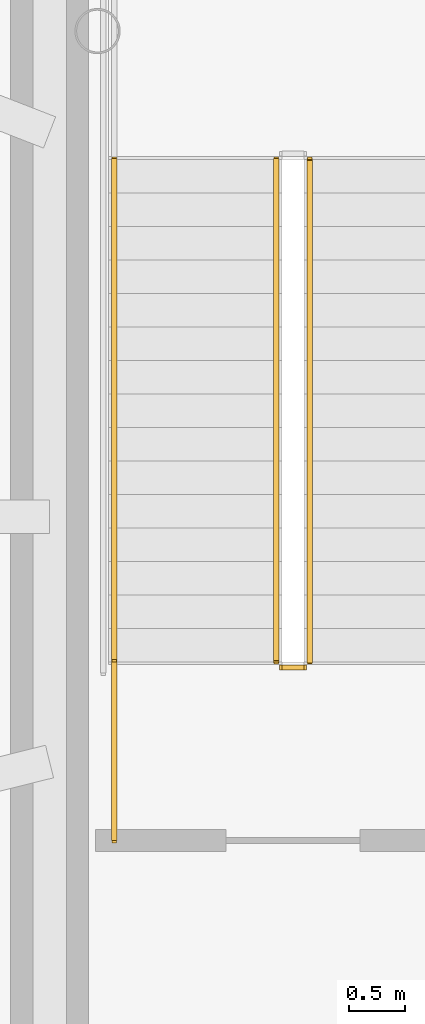
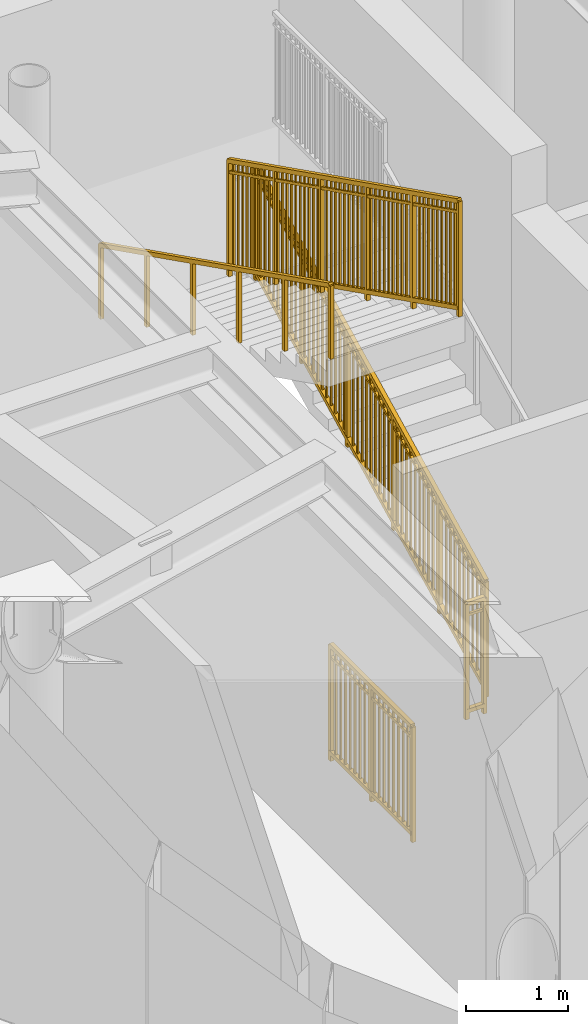
# One storey, part 6 of 12: 5 railings.
"""IFC4 building model written with IfcOpenShell, lengths in metres."""

from ifc_helpers import new_model, si_unit, direction, frame, origin, origin_2d, place, context, subcontext, project, spatial, rectangle, extrude, source, transform, mapped, material, type_object, element, save


model = new_model("IFC4")

# Units and contexts
model_context = context("Model", 3, precision=1e-05, world=origin(), true_north=direction((0.0, 1.0)))
body_context = subcontext(model_context, "Body", "Model", "MODEL_VIEW")
ifc_project = project(units=[si_unit("LENGTHUNIT", "METRE"), si_unit("AREAUNIT", "SQUARE_METRE"), si_unit("VOLUMEUNIT", "CUBIC_METRE"), si_unit("PLANEANGLEUNIT", "RADIAN"), si_unit("MASSUNIT", "GRAM", prefix="KILO")], contexts=[model_context])

# Site, building, storey
site_placement = place(None, origin())
site = spatial("IfcSite", under=ifc_project, at=site_placement, CompositionType="ELEMENT")
building_placement = place(site_placement, origin())
building = spatial("IfcBuilding", under=site, at=building_placement, Name="Linh Dai School and Residence Tower", CompositionType="ELEMENT")
storey_placement = place(building_placement, frame((0.0, 0.0, 368.39990234375)))
storey = spatial("IfcBuildingStorey", under=building, at=storey_placement, Name="L91", CompositionType="ELEMENT", Elevation=368.39990234375)

# Railings
ifc_material_1 = material(Name="Structural Steel S355JR", Category="steel")
railing_type_1 = type_object("IfcRailingType", Name="RL-ST-GUARD-1400", PredefinedType="GUARDRAIL", material=ifc_material_1)
shared_shape_1 = source(origin(), body_context, "Body", "SweptSolid", [
    extrude(rectangle(XDim=0.048095703125, YDim=0.048095703125, at=origin_2d()), frame((0.0, 0.0, 1.3759765625), z_axis=(-1.0, 0.0, 0.0), x_axis=(0.0, -1.0, 0.0)), (0.0, 0.0, 1.0), 0.199951171875),
    extrude(rectangle(XDim=0.048095703125, YDim=0.048095703125, at=origin_2d()), frame((0.0, 0.0, 0.10009765625), z_axis=(-1.0, 0.0, 0.0), x_axis=(0.0, -1.0, 0.0)), (0.0, 0.0, 1.0), 0.199951171875),
    extrude(rectangle(XDim=0.030029296875, YDim=0.030029296875, at=origin_2d()), frame((0.0, 0.0, 1.239990234375), z_axis=(-1.0, 0.0, 0.0), x_axis=(0.0, -1.0, 0.0)), (0.0, 0.0, 1.0), 0.199951171875),
    extrude(rectangle(XDim=0.0419921875, YDim=0.0419921875, at=origin_2d()), origin(), (0.0, 0.0, 1.0), 1.3759765625),
    extrude(rectangle(XDim=0.0419921875, YDim=0.0419921875, at=origin_2d()), frame((-0.199951171875, 0.0, 0.0)), (0.0, 0.0, 1.0), 1.3759765625),
])
railing_1_placement = place(storey_placement, frame((29.429931640625, 25.64990234375, 0.0)))
element("IfcRailing", 1, at=railing_1_placement, inside=storey, type_object=railing_type_1, Name="L91 ST1 stair guard 7", PredefinedType="GUARDRAIL", context=body_context, shape_type="MappedRepresentation", body=[
    mapped(shared_shape_1, transform((0.0, 0.0, 0.0), x_axis=(1.0, 0.0, 0.0), y_axis=(0.0, 1.0, 0.0), z_axis=(0.0, 0.0, 1.0), scale=1.0)),
])
shared_shape_2 = source(origin(), body_context, "Body", "SweptSolid", [
    extrude(rectangle(XDim=0.048095703125, YDim=0.048095703125, at=origin_2d()), frame((0.0, 0.0, 1.3759765625), z_axis=(0.0, 1.0, 0.0), x_axis=(-1.0, 0.0, 0.0)), (0.0, 0.0, 1.0), 1.599853515625),
    extrude(rectangle(XDim=0.048095703125, YDim=0.048095703125, at=origin_2d()), frame((0.0, 0.0, 0.10009765625), z_axis=(0.0, 1.0, 0.0), x_axis=(-1.0, 0.0, 0.0)), (0.0, 0.0, 1.0), 1.599853515625),
    extrude(rectangle(XDim=0.030029296875, YDim=0.030029296875, at=origin_2d()), frame((0.0, 0.0, 1.239990234375), z_axis=(0.0, 1.0, 0.0), x_axis=(-1.0, 0.0, 0.0)), (0.0, 0.0, 1.0), 1.599853515625),
    extrude(rectangle(XDim=0.02001953125, YDim=0.02001953125, at=origin_2d()), frame((0.0, 0.093994140625, 0.10009765625)), (0.0, 0.0, 1.0), 1.251708984375),
    extrude(rectangle(XDim=0.02001953125, YDim=0.02001953125, at=origin_2d()), frame((0.0, 0.188232421875, 0.10009765625)), (0.0, 0.0, 1.0), 1.251708984375),
    extrude(rectangle(XDim=0.02001953125, YDim=0.02001953125, at=origin_2d()), frame((0.0, 0.2822265625, 0.10009765625)), (0.0, 0.0, 1.0), 1.251708984375),
    extrude(rectangle(XDim=0.02001953125, YDim=0.02001953125, at=origin_2d()), frame((0.0, 0.37646484375, 0.10009765625)), (0.0, 0.0, 1.0), 1.251708984375),
    extrude(rectangle(XDim=0.02001953125, YDim=0.02001953125, at=origin_2d()), frame((0.0, 0.470458984375, 0.10009765625)), (0.0, 0.0, 1.0), 1.251708984375),
    extrude(rectangle(XDim=0.02001953125, YDim=0.02001953125, at=origin_2d()), frame((0.0, 0.564697265625, 0.10009765625)), (0.0, 0.0, 1.0), 1.251708984375),
    extrude(rectangle(XDim=0.02001953125, YDim=0.02001953125, at=origin_2d()), frame((0.0, 0.65869140625, 0.10009765625)), (0.0, 0.0, 1.0), 1.251708984375),
    extrude(rectangle(XDim=0.02001953125, YDim=0.02001953125, at=origin_2d()), frame((0.0, 0.7529296875, 0.10009765625)), (0.0, 0.0, 1.0), 1.251708984375),
    extrude(rectangle(XDim=0.02001953125, YDim=0.02001953125, at=origin_2d()), frame((0.0, 0.846923828125, 0.10009765625)), (0.0, 0.0, 1.0), 1.251708984375),
    extrude(rectangle(XDim=0.02001953125, YDim=0.02001953125, at=origin_2d()), frame((0.0, 0.941162109375, 0.10009765625)), (0.0, 0.0, 1.0), 1.251708984375),
    extrude(rectangle(XDim=0.02001953125, YDim=0.02001953125, at=origin_2d()), frame((0.0, 1.03515625, 0.10009765625)), (0.0, 0.0, 1.0), 1.251708984375),
    extrude(rectangle(XDim=0.02001953125, YDim=0.02001953125, at=origin_2d()), frame((0.0, 1.12939453125, 0.10009765625)), (0.0, 0.0, 1.0), 1.251708984375),
    extrude(rectangle(XDim=0.02001953125, YDim=0.02001953125, at=origin_2d()), frame((0.0, 1.223388671875, 0.10009765625)), (0.0, 0.0, 1.0), 1.251708984375),
    extrude(rectangle(XDim=0.02001953125, YDim=0.02001953125, at=origin_2d()), frame((0.0, 1.317626953125, 0.10009765625)), (0.0, 0.0, 1.0), 1.251708984375),
    extrude(rectangle(XDim=0.02001953125, YDim=0.02001953125, at=origin_2d()), frame((0.0, 1.41162109375, 0.10009765625)), (0.0, 0.0, 1.0), 1.251708984375),
    extrude(rectangle(XDim=0.02001953125, YDim=0.02001953125, at=origin_2d()), frame((0.0, 1.505859375, 0.10009765625)), (0.0, 0.0, 1.0), 1.251708984375),
    extrude(rectangle(XDim=0.0419921875, YDim=0.0419921875, at=origin_2d()), origin(), (0.0, 0.0, 1.0), 1.3759765625),
    extrude(rectangle(XDim=0.0419921875, YDim=0.0419921875, at=origin_2d()), frame((0.0, 0.7998046875, 0.0)), (0.0, 0.0, 1.0), 1.3759765625),
    extrude(rectangle(XDim=0.0419921875, YDim=0.0419921875, at=origin_2d()), frame((0.0, 1.599853515625, 0.0)), (0.0, 0.0, 1.0), 1.3759765625),
])
railing_2_placement = place(storey_placement, frame((27.72998046875, 24.10009765625, 0.0)))
element("IfcRailing", 2, at=railing_2_placement, inside=storey, type_object=railing_type_1, Name="L91 ST1 stair guard 9", PredefinedType="GUARDRAIL", context=body_context, shape_type="MappedRepresentation", body=[
    mapped(shared_shape_2, transform((0.0, 0.0, 0.0), x_axis=(1.0, 0.0, 0.0), y_axis=(0.0, 1.0, 0.0), z_axis=(0.0, 0.0, 1.0), scale=1.0)),
])
shared_shape_3 = source(origin(), body_context, "Body", "SweptSolid", [
    extrude(rectangle(XDim=0.048095703125, YDim=0.048095703125, at=origin_2d()), frame((0.0, 0.0, 1.3759765625), z_axis=(0.0, 0.894427191, 0.4472135955), x_axis=(-1.0, 0.0, 0.0)), (0.0, 0.0, 1.0), 5.03125),
    extrude(rectangle(XDim=0.048095703125, YDim=0.048095703125, at=origin_2d()), frame((0.0, 0.0, 0.10009765625), z_axis=(0.0, 0.894427191, 0.4472135955), x_axis=(-1.0, 0.0, 0.0)), (0.0, 0.0, 1.0), 5.03125),
    extrude(rectangle(XDim=0.030029296875, YDim=0.030029296875, at=origin_2d()), frame((0.0, 0.0, 1.239990234375), z_axis=(0.0, 0.894427191, 0.4472135955), x_axis=(-1.0, 0.0, 0.0)), (0.0, 0.0, 1.0), 5.03125),
    extrude(rectangle(XDim=0.02001953125, YDim=0.02001953125, at=origin_2d()), frame((0.0, 0.08642578125, 0.143310546875)), (0.0, 0.0, 1.0), 1.251708984375),
    extrude(rectangle(XDim=0.02001953125, YDim=0.02001953125, at=origin_2d()), frame((0.0, 0.173095703125, 0.1865234375)), (0.0, 0.0, 1.0), 1.251708984375),
    extrude(rectangle(XDim=0.02001953125, YDim=0.02001953125, at=origin_2d()), frame((0.0, 0.259521484375, 0.22998046875)), (0.0, 0.0, 1.0), 1.251708984375),
    extrude(rectangle(XDim=0.02001953125, YDim=0.02001953125, at=origin_2d()), frame((0.0, 0.34619140625, 0.273193359375)), (0.0, 0.0, 1.0), 1.251708984375),
    extrude(rectangle(XDim=0.02001953125, YDim=0.02001953125, at=origin_2d()), frame((0.0, 0.4326171875, 0.31640625)), (0.0, 0.0, 1.0), 1.251708984375),
    extrude(rectangle(XDim=0.02001953125, YDim=0.02001953125, at=origin_2d()), frame((0.0, 0.519287109375, 0.359619140625)), (0.0, 0.0, 1.0), 1.251708984375),
    extrude(rectangle(XDim=0.02001953125, YDim=0.02001953125, at=origin_2d()), frame((0.0, 0.605712890625, 0.403076171875)), (0.0, 0.0, 1.0), 1.251708984375),
    extrude(rectangle(XDim=0.02001953125, YDim=0.02001953125, at=origin_2d()), frame((0.0, 0.6923828125, 0.4462890625)), (0.0, 0.0, 1.0), 1.251708984375),
    extrude(rectangle(XDim=0.02001953125, YDim=0.02001953125, at=origin_2d()), frame((0.0, 0.77880859375, 0.489501953125)), (0.0, 0.0, 1.0), 1.251708984375),
    extrude(rectangle(XDim=0.02001953125, YDim=0.02001953125, at=origin_2d()), frame((0.0, 0.951904296875, 0.576171875)), (0.0, 0.0, 1.0), 1.251708984375),
    extrude(rectangle(XDim=0.02001953125, YDim=0.02001953125, at=origin_2d()), frame((0.0, 1.03857421875, 0.619384765625)), (0.0, 0.0, 1.0), 1.251708984375),
    extrude(rectangle(XDim=0.02001953125, YDim=0.02001953125, at=origin_2d()), frame((0.0, 1.125, 0.66259765625)), (0.0, 0.0, 1.0), 1.251708984375),
    extrude(rectangle(XDim=0.02001953125, YDim=0.02001953125, at=origin_2d()), frame((0.0, 1.21142578125, 0.705810546875)), (0.0, 0.0, 1.0), 1.251708984375),
    extrude(rectangle(XDim=0.02001953125, YDim=0.02001953125, at=origin_2d()), frame((0.0, 1.298095703125, 0.7490234375)), (0.0, 0.0, 1.0), 1.251708984375),
    extrude(rectangle(XDim=0.02001953125, YDim=0.02001953125, at=origin_2d()), frame((0.0, 1.384521484375, 0.79248046875)), (0.0, 0.0, 1.0), 1.251708984375),
    extrude(rectangle(XDim=0.02001953125, YDim=0.02001953125, at=origin_2d()), frame((0.0, 1.47119140625, 0.835693359375)), (0.0, 0.0, 1.0), 1.251708984375),
    extrude(rectangle(XDim=0.02001953125, YDim=0.02001953125, at=origin_2d()), frame((0.0, 1.5576171875, 0.87890625)), (0.0, 0.0, 1.0), 1.251708984375),
    extrude(rectangle(XDim=0.02001953125, YDim=0.02001953125, at=origin_2d()), frame((0.0, 1.644287109375, 0.922119140625)), (0.0, 0.0, 1.0), 1.251708984375),
    extrude(rectangle(XDim=0.02001953125, YDim=0.02001953125, at=origin_2d()), frame((0.0, 1.730712890625, 0.965576171875)), (0.0, 0.0, 1.0), 1.251708984375),
    extrude(rectangle(XDim=0.02001953125, YDim=0.02001953125, at=origin_2d()), frame((0.0, 1.90380859375, 1.052001953125)), (0.0, 0.0, 1.0), 1.251708984375),
    extrude(rectangle(XDim=0.02001953125, YDim=0.02001953125, at=origin_2d()), frame((0.0, 1.990478515625, 1.09521484375)), (0.0, 0.0, 1.0), 1.251708984375),
    extrude(rectangle(XDim=0.02001953125, YDim=0.02001953125, at=origin_2d()), frame((0.0, 2.076904296875, 1.138671875)), (0.0, 0.0, 1.0), 1.251708984375),
    extrude(rectangle(XDim=0.02001953125, YDim=0.02001953125, at=origin_2d()), frame((0.0, 2.16357421875, 1.181884765625)), (0.0, 0.0, 1.0), 1.251708984375),
    extrude(rectangle(XDim=0.02001953125, YDim=0.02001953125, at=origin_2d()), frame((0.0, 2.25, 1.22509765625)), (0.0, 0.0, 1.0), 1.251708984375),
    extrude(rectangle(XDim=0.02001953125, YDim=0.02001953125, at=origin_2d()), frame((0.0, 2.33642578125, 1.268310546875)), (0.0, 0.0, 1.0), 1.251708984375),
    extrude(rectangle(XDim=0.02001953125, YDim=0.02001953125, at=origin_2d()), frame((0.0, 2.423095703125, 1.3115234375)), (0.0, 0.0, 1.0), 1.251708984375),
    extrude(rectangle(XDim=0.02001953125, YDim=0.02001953125, at=origin_2d()), frame((0.0, 2.509521484375, 1.35498046875)), (0.0, 0.0, 1.0), 1.251708984375),
    extrude(rectangle(XDim=0.02001953125, YDim=0.02001953125, at=origin_2d()), frame((0.0, 2.59619140625, 1.398193359375)), (0.0, 0.0, 1.0), 1.251708984375),
    extrude(rectangle(XDim=0.02001953125, YDim=0.02001953125, at=origin_2d()), frame((0.0, 2.769287109375, 1.484619140625)), (0.0, 0.0, 1.0), 1.251708984375),
    extrude(rectangle(XDim=0.02001953125, YDim=0.02001953125, at=origin_2d()), frame((0.0, 2.855712890625, 1.528076171875)), (0.0, 0.0, 1.0), 1.251708984375),
    extrude(rectangle(XDim=0.02001953125, YDim=0.02001953125, at=origin_2d()), frame((0.0, 2.9423828125, 1.5712890625)), (0.0, 0.0, 1.0), 1.251708984375),
    extrude(rectangle(XDim=0.02001953125, YDim=0.02001953125, at=origin_2d()), frame((0.0, 3.02880859375, 1.614501953125)), (0.0, 0.0, 1.0), 1.251708984375),
    extrude(rectangle(XDim=0.02001953125, YDim=0.02001953125, at=origin_2d()), frame((0.0, 3.115478515625, 1.65771484375)), (0.0, 0.0, 1.0), 1.251708984375),
    extrude(rectangle(XDim=0.02001953125, YDim=0.02001953125, at=origin_2d()), frame((0.0, 3.201904296875, 1.701171875)), (0.0, 0.0, 1.0), 1.251708984375),
    extrude(rectangle(XDim=0.02001953125, YDim=0.02001953125, at=origin_2d()), frame((0.0, 3.28857421875, 1.744384765625)), (0.0, 0.0, 1.0), 1.251708984375),
    extrude(rectangle(XDim=0.02001953125, YDim=0.02001953125, at=origin_2d()), frame((0.0, 3.375, 1.78759765625)), (0.0, 0.0, 1.0), 1.251708984375),
    extrude(rectangle(XDim=0.02001953125, YDim=0.02001953125, at=origin_2d()), frame((0.0, 3.46142578125, 1.830810546875)), (0.0, 0.0, 1.0), 1.251708984375),
    extrude(rectangle(XDim=0.02001953125, YDim=0.02001953125, at=origin_2d()), frame((0.0, 3.548095703125, 1.8740234375)), (0.0, 0.0, 1.0), 1.251708984375),
    extrude(rectangle(XDim=0.02001953125, YDim=0.02001953125, at=origin_2d()), frame((0.0, 3.72119140625, 1.960693359375)), (0.0, 0.0, 1.0), 1.251708984375),
    extrude(rectangle(XDim=0.02001953125, YDim=0.02001953125, at=origin_2d()), frame((0.0, 3.8076171875, 2.00390625)), (0.0, 0.0, 1.0), 1.251708984375),
    extrude(rectangle(XDim=0.02001953125, YDim=0.02001953125, at=origin_2d()), frame((0.0, 3.894287109375, 2.047119140625)), (0.0, 0.0, 1.0), 1.251708984375),
    extrude(rectangle(XDim=0.02001953125, YDim=0.02001953125, at=origin_2d()), frame((0.0, 3.980712890625, 2.090576171875)), (0.0, 0.0, 1.0), 1.251708984375),
    extrude(rectangle(XDim=0.02001953125, YDim=0.02001953125, at=origin_2d()), frame((0.0, 4.0673828125, 2.1337890625)), (0.0, 0.0, 1.0), 1.251708984375),
    extrude(rectangle(XDim=0.02001953125, YDim=0.02001953125, at=origin_2d()), frame((0.0, 4.15380859375, 2.177001953125)), (0.0, 0.0, 1.0), 1.251708984375),
    extrude(rectangle(XDim=0.02001953125, YDim=0.02001953125, at=origin_2d()), frame((0.0, 4.240478515625, 2.22021484375)), (0.0, 0.0, 1.0), 1.251708984375),
    extrude(rectangle(XDim=0.02001953125, YDim=0.02001953125, at=origin_2d()), frame((0.0, 4.326904296875, 2.263671875)), (0.0, 0.0, 1.0), 1.251708984375),
    extrude(rectangle(XDim=0.02001953125, YDim=0.02001953125, at=origin_2d()), frame((0.0, 4.41357421875, 2.306884765625)), (0.0, 0.0, 1.0), 1.251708984375),
    extrude(rectangle(XDim=0.0419921875, YDim=0.0419921875, at=origin_2d()), origin(), (0.0, 0.0, 1.0), 1.3759765625),
    extrude(rectangle(XDim=0.0419921875, YDim=0.0419921875, at=origin_2d()), frame((0.0, 0.89990234375, 0.449951171875)), (0.0, 0.0, 1.0), 1.3759765625),
    extrude(rectangle(XDim=0.0419921875, YDim=0.0419921875, at=origin_2d()), frame((0.0, 1.800048828125, 0.89990234375)), (0.0, 0.0, 1.0), 1.3759765625),
    extrude(rectangle(XDim=0.0419921875, YDim=0.0419921875, at=origin_2d()), frame((0.0, 2.699951171875, 1.35009765625)), (0.0, 0.0, 1.0), 1.3759765625),
    extrude(rectangle(XDim=0.0419921875, YDim=0.0419921875, at=origin_2d()), frame((0.0, 3.60009765625, 1.800048828125)), (0.0, 0.0, 1.0), 1.3759765625),
    extrude(rectangle(XDim=0.0419921875, YDim=0.0419921875, at=origin_2d()), frame((0.0, 4.5, 2.25)), (0.0, 0.0, 1.0), 1.3759765625),
])
railing_3_placement = place(storey_placement, frame((29.47998046875, 25.699951171875, 0.150146484375)))
element("IfcRailing", 3, at=railing_3_placement, inside=storey, type_object=railing_type_1, Name="L91 ST1 stair guard 1", PredefinedType="GUARDRAIL", context=body_context, shape_type="MappedRepresentation", body=[
    mapped(shared_shape_3, transform((0.0, 0.0, 0.0), x_axis=(1.0, 0.0, 0.0), y_axis=(0.0, 1.0, 0.0), z_axis=(0.0, 0.0, 1.0), scale=1.0)),
])
shared_shape_4 = source(origin(), body_context, "Body", "SweptSolid", [
    extrude(rectangle(XDim=0.048095703125, YDim=0.048095703125, at=origin_2d()), frame((0.0, 0.0, 1.3759765625), z_axis=(0.0, -0.894427191, 0.4472135955), x_axis=(1.0, 0.0, 0.0)), (0.0, 0.0, 1.0), 5.03125),
    extrude(rectangle(XDim=0.048095703125, YDim=0.048095703125, at=origin_2d()), frame((0.0, 0.0, 0.10009765625), z_axis=(0.0, -0.894427191, 0.4472135955), x_axis=(1.0, 0.0, 0.0)), (0.0, 0.0, 1.0), 5.03125),
    extrude(rectangle(XDim=0.030029296875, YDim=0.030029296875, at=origin_2d()), frame((0.0, 0.0, 1.239990234375), z_axis=(0.0, -0.894427191, 0.4472135955), x_axis=(1.0, 0.0, 0.0)), (0.0, 0.0, 1.0), 5.03125),
    extrude(rectangle(XDim=0.02001953125, YDim=0.02001953125, at=origin_2d()), frame((0.0, -0.08642578125, 0.143310546875)), (0.0, 0.0, 1.0), 1.251708984375),
    extrude(rectangle(XDim=0.02001953125, YDim=0.02001953125, at=origin_2d()), frame((0.0, -0.173095703125, 0.1865234375)), (0.0, 0.0, 1.0), 1.251708984375),
    extrude(rectangle(XDim=0.02001953125, YDim=0.02001953125, at=origin_2d()), frame((0.0, -0.259521484375, 0.22998046875)), (0.0, 0.0, 1.0), 1.251708984375),
    extrude(rectangle(XDim=0.02001953125, YDim=0.02001953125, at=origin_2d()), frame((0.0, -0.34619140625, 0.273193359375)), (0.0, 0.0, 1.0), 1.251708984375),
    extrude(rectangle(XDim=0.02001953125, YDim=0.02001953125, at=origin_2d()), frame((0.0, -0.4326171875, 0.31640625)), (0.0, 0.0, 1.0), 1.251708984375),
    extrude(rectangle(XDim=0.02001953125, YDim=0.02001953125, at=origin_2d()), frame((0.0, -0.519287109375, 0.359619140625)), (0.0, 0.0, 1.0), 1.251708984375),
    extrude(rectangle(XDim=0.02001953125, YDim=0.02001953125, at=origin_2d()), frame((0.0, -0.605712890625, 0.403076171875)), (0.0, 0.0, 1.0), 1.251708984375),
    extrude(rectangle(XDim=0.02001953125, YDim=0.02001953125, at=origin_2d()), frame((0.0, -0.6923828125, 0.4462890625)), (0.0, 0.0, 1.0), 1.251708984375),
    extrude(rectangle(XDim=0.02001953125, YDim=0.02001953125, at=origin_2d()), frame((0.0, -0.77880859375, 0.489501953125)), (0.0, 0.0, 1.0), 1.251708984375),
    extrude(rectangle(XDim=0.02001953125, YDim=0.02001953125, at=origin_2d()), frame((0.0, -0.951904296875, 0.576171875)), (0.0, 0.0, 1.0), 1.251708984375),
    extrude(rectangle(XDim=0.02001953125, YDim=0.02001953125, at=origin_2d()), frame((0.0, -1.03857421875, 0.619384765625)), (0.0, 0.0, 1.0), 1.251708984375),
    extrude(rectangle(XDim=0.02001953125, YDim=0.02001953125, at=origin_2d()), frame((0.0, -1.125, 0.66259765625)), (0.0, 0.0, 1.0), 1.251708984375),
    extrude(rectangle(XDim=0.02001953125, YDim=0.02001953125, at=origin_2d()), frame((0.0, -1.21142578125, 0.705810546875)), (0.0, 0.0, 1.0), 1.251708984375),
    extrude(rectangle(XDim=0.02001953125, YDim=0.02001953125, at=origin_2d()), frame((0.0, -1.298095703125, 0.7490234375)), (0.0, 0.0, 1.0), 1.251708984375),
    extrude(rectangle(XDim=0.02001953125, YDim=0.02001953125, at=origin_2d()), frame((0.0, -1.384521484375, 0.79248046875)), (0.0, 0.0, 1.0), 1.251708984375),
    extrude(rectangle(XDim=0.02001953125, YDim=0.02001953125, at=origin_2d()), frame((0.0, -1.47119140625, 0.835693359375)), (0.0, 0.0, 1.0), 1.251708984375),
    extrude(rectangle(XDim=0.02001953125, YDim=0.02001953125, at=origin_2d()), frame((0.0, -1.5576171875, 0.87890625)), (0.0, 0.0, 1.0), 1.251708984375),
    extrude(rectangle(XDim=0.02001953125, YDim=0.02001953125, at=origin_2d()), frame((0.0, -1.644287109375, 0.922119140625)), (0.0, 0.0, 1.0), 1.251708984375),
    extrude(rectangle(XDim=0.02001953125, YDim=0.02001953125, at=origin_2d()), frame((0.0, -1.730712890625, 0.965576171875)), (0.0, 0.0, 1.0), 1.251708984375),
    extrude(rectangle(XDim=0.02001953125, YDim=0.02001953125, at=origin_2d()), frame((0.0, -1.90380859375, 1.052001953125)), (0.0, 0.0, 1.0), 1.251708984375),
    extrude(rectangle(XDim=0.02001953125, YDim=0.02001953125, at=origin_2d()), frame((0.0, -1.990478515625, 1.09521484375)), (0.0, 0.0, 1.0), 1.251708984375),
    extrude(rectangle(XDim=0.02001953125, YDim=0.02001953125, at=origin_2d()), frame((0.0, -2.076904296875, 1.138671875)), (0.0, 0.0, 1.0), 1.251708984375),
    extrude(rectangle(XDim=0.02001953125, YDim=0.02001953125, at=origin_2d()), frame((0.0, -2.16357421875, 1.181884765625)), (0.0, 0.0, 1.0), 1.251708984375),
    extrude(rectangle(XDim=0.02001953125, YDim=0.02001953125, at=origin_2d()), frame((0.0, -2.25, 1.22509765625)), (0.0, 0.0, 1.0), 1.251708984375),
    extrude(rectangle(XDim=0.02001953125, YDim=0.02001953125, at=origin_2d()), frame((0.0, -2.33642578125, 1.268310546875)), (0.0, 0.0, 1.0), 1.251708984375),
    extrude(rectangle(XDim=0.02001953125, YDim=0.02001953125, at=origin_2d()), frame((0.0, -2.423095703125, 1.3115234375)), (0.0, 0.0, 1.0), 1.251708984375),
    extrude(rectangle(XDim=0.02001953125, YDim=0.02001953125, at=origin_2d()), frame((0.0, -2.509521484375, 1.35498046875)), (0.0, 0.0, 1.0), 1.251708984375),
    extrude(rectangle(XDim=0.02001953125, YDim=0.02001953125, at=origin_2d()), frame((0.0, -2.59619140625, 1.398193359375)), (0.0, 0.0, 1.0), 1.251708984375),
    extrude(rectangle(XDim=0.02001953125, YDim=0.02001953125, at=origin_2d()), frame((0.0, -2.769287109375, 1.484619140625)), (0.0, 0.0, 1.0), 1.251708984375),
    extrude(rectangle(XDim=0.02001953125, YDim=0.02001953125, at=origin_2d()), frame((0.0, -2.855712890625, 1.528076171875)), (0.0, 0.0, 1.0), 1.251708984375),
    extrude(rectangle(XDim=0.02001953125, YDim=0.02001953125, at=origin_2d()), frame((0.0, -2.9423828125, 1.5712890625)), (0.0, 0.0, 1.0), 1.251708984375),
    extrude(rectangle(XDim=0.02001953125, YDim=0.02001953125, at=origin_2d()), frame((0.0, -3.02880859375, 1.614501953125)), (0.0, 0.0, 1.0), 1.251708984375),
    extrude(rectangle(XDim=0.02001953125, YDim=0.02001953125, at=origin_2d()), frame((0.0, -3.115478515625, 1.65771484375)), (0.0, 0.0, 1.0), 1.251708984375),
    extrude(rectangle(XDim=0.02001953125, YDim=0.02001953125, at=origin_2d()), frame((0.0, -3.201904296875, 1.701171875)), (0.0, 0.0, 1.0), 1.251708984375),
    extrude(rectangle(XDim=0.02001953125, YDim=0.02001953125, at=origin_2d()), frame((0.0, -3.28857421875, 1.744384765625)), (0.0, 0.0, 1.0), 1.251708984375),
    extrude(rectangle(XDim=0.02001953125, YDim=0.02001953125, at=origin_2d()), frame((0.0, -3.375, 1.78759765625)), (0.0, 0.0, 1.0), 1.251708984375),
    extrude(rectangle(XDim=0.02001953125, YDim=0.02001953125, at=origin_2d()), frame((0.0, -3.46142578125, 1.830810546875)), (0.0, 0.0, 1.0), 1.251708984375),
    extrude(rectangle(XDim=0.02001953125, YDim=0.02001953125, at=origin_2d()), frame((0.0, -3.548095703125, 1.8740234375)), (0.0, 0.0, 1.0), 1.251708984375),
    extrude(rectangle(XDim=0.02001953125, YDim=0.02001953125, at=origin_2d()), frame((0.0, -3.72119140625, 1.960693359375)), (0.0, 0.0, 1.0), 1.251708984375),
    extrude(rectangle(XDim=0.02001953125, YDim=0.02001953125, at=origin_2d()), frame((0.0, -3.8076171875, 2.00390625)), (0.0, 0.0, 1.0), 1.251708984375),
    extrude(rectangle(XDim=0.02001953125, YDim=0.02001953125, at=origin_2d()), frame((0.0, -3.894287109375, 2.047119140625)), (0.0, 0.0, 1.0), 1.251708984375),
    extrude(rectangle(XDim=0.02001953125, YDim=0.02001953125, at=origin_2d()), frame((0.0, -3.980712890625, 2.090576171875)), (0.0, 0.0, 1.0), 1.251708984375),
    extrude(rectangle(XDim=0.02001953125, YDim=0.02001953125, at=origin_2d()), frame((0.0, -4.0673828125, 2.1337890625)), (0.0, 0.0, 1.0), 1.251708984375),
    extrude(rectangle(XDim=0.02001953125, YDim=0.02001953125, at=origin_2d()), frame((0.0, -4.15380859375, 2.177001953125)), (0.0, 0.0, 1.0), 1.251708984375),
    extrude(rectangle(XDim=0.02001953125, YDim=0.02001953125, at=origin_2d()), frame((0.0, -4.240478515625, 2.22021484375)), (0.0, 0.0, 1.0), 1.251708984375),
    extrude(rectangle(XDim=0.02001953125, YDim=0.02001953125, at=origin_2d()), frame((0.0, -4.326904296875, 2.263671875)), (0.0, 0.0, 1.0), 1.251708984375),
    extrude(rectangle(XDim=0.02001953125, YDim=0.02001953125, at=origin_2d()), frame((0.0, -4.41357421875, 2.306884765625)), (0.0, 0.0, 1.0), 1.251708984375),
    extrude(rectangle(XDim=0.0419921875, YDim=0.0419921875, at=origin_2d()), origin(), (0.0, 0.0, 1.0), 1.3759765625),
    extrude(rectangle(XDim=0.0419921875, YDim=0.0419921875, at=origin_2d()), frame((0.0, -0.89990234375, 0.449951171875)), (0.0, 0.0, 1.0), 1.3759765625),
    extrude(rectangle(XDim=0.0419921875, YDim=0.0419921875, at=origin_2d()), frame((0.0, -1.800048828125, 0.89990234375)), (0.0, 0.0, 1.0), 1.3759765625),
    extrude(rectangle(XDim=0.0419921875, YDim=0.0419921875, at=origin_2d()), frame((0.0, -2.699951171875, 1.35009765625)), (0.0, 0.0, 1.0), 1.3759765625),
    extrude(rectangle(XDim=0.0419921875, YDim=0.0419921875, at=origin_2d()), frame((0.0, -3.60009765625, 1.800048828125)), (0.0, 0.0, 1.0), 1.3759765625),
    extrude(rectangle(XDim=0.0419921875, YDim=0.0419921875, at=origin_2d()), frame((0.0, -4.5, 2.25)), (0.0, 0.0, 1.0), 1.3759765625),
])
railing_4_placement = place(storey_placement, frame((29.179931640625, 30.199951171875, 2.550048828125)))
element("IfcRailing", 4, at=railing_4_placement, inside=storey, type_object=railing_type_1, Name="L91 ST1 stair guard 6", PredefinedType="GUARDRAIL", context=body_context, shape_type="MappedRepresentation", body=[
    mapped(shared_shape_4, transform((0.0, 0.0, 0.0), x_axis=(1.0, 0.0, 0.0), y_axis=(0.0, 1.0, 0.0), z_axis=(0.0, 0.0, 1.0), scale=1.0)),
])
ifc_material_2 = material(Name="Brushed Stainless Steel Handrail", Category="steel")
railing_type_2 = type_object("IfcRailingType", Name="RL-ST-HANDRAIL-900", PredefinedType="HANDRAIL", material=ifc_material_2)
shared_shape_5 = source(origin(), body_context, "Body", "SweptSolid", [
    extrude(rectangle(XDim=0.048095703125, YDim=0.048095703125, at=origin_2d()), frame((0.0, 0.0, 0.8759765625), z_axis=(0.0, -0.894427191, 0.4472135955), x_axis=(1.0, 0.0, 0.0)), (0.0, 0.0, 1.0), 5.03125),
    extrude(rectangle(XDim=0.0419921875, YDim=0.0419921875, at=origin_2d()), origin(), (0.0, 0.0, 1.0), 0.8759765625),
    extrude(rectangle(XDim=0.0419921875, YDim=0.0419921875, at=origin_2d()), frame((0.0, -0.89990234375, 0.449951171875)), (0.0, 0.0, 1.0), 0.8759765625),
    extrude(rectangle(XDim=0.0419921875, YDim=0.0419921875, at=origin_2d()), frame((0.0, -1.800048828125, 0.89990234375)), (0.0, 0.0, 1.0), 0.8759765625),
    extrude(rectangle(XDim=0.0419921875, YDim=0.0419921875, at=origin_2d()), frame((0.0, -2.699951171875, 1.35009765625)), (0.0, 0.0, 1.0), 0.8759765625),
    extrude(rectangle(XDim=0.0419921875, YDim=0.0419921875, at=origin_2d()), frame((0.0, -3.60009765625, 1.800048828125)), (0.0, 0.0, 1.0), 0.8759765625),
    extrude(rectangle(XDim=0.0419921875, YDim=0.0419921875, at=origin_2d()), frame((0.0, -4.5, 2.25)), (0.0, 0.0, 1.0), 0.8759765625),
])
railing_5_placement = place(storey_placement, frame((27.72998046875, 30.199951171875, 2.550048828125)))
element("IfcRailing", 5, at=railing_5_placement, inside=storey, type_object=railing_type_2, Name="L91 ST1 stair handrail 2", PredefinedType="HANDRAIL", context=body_context, shape_type="MappedRepresentation", body=[
    mapped(shared_shape_5, transform((0.0, 0.0, 0.0), x_axis=(1.0, 0.0, 0.0), y_axis=(0.0, 1.0, 0.0), z_axis=(0.0, 0.0, 1.0), scale=1.0)),
])

save(model, "model.ifc")
